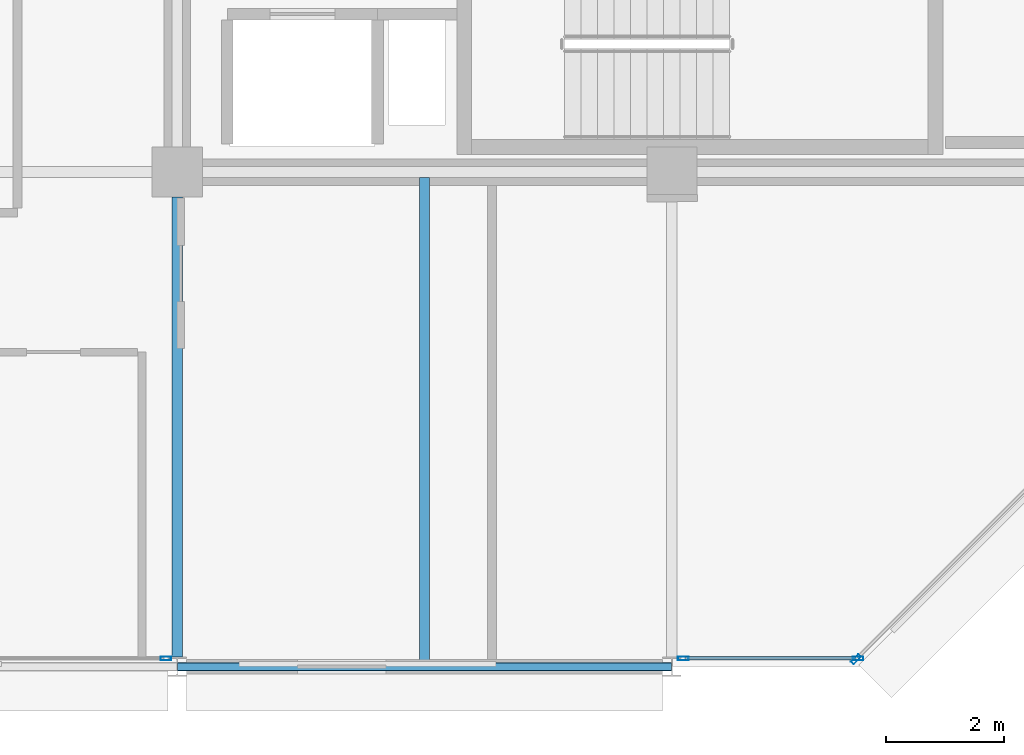
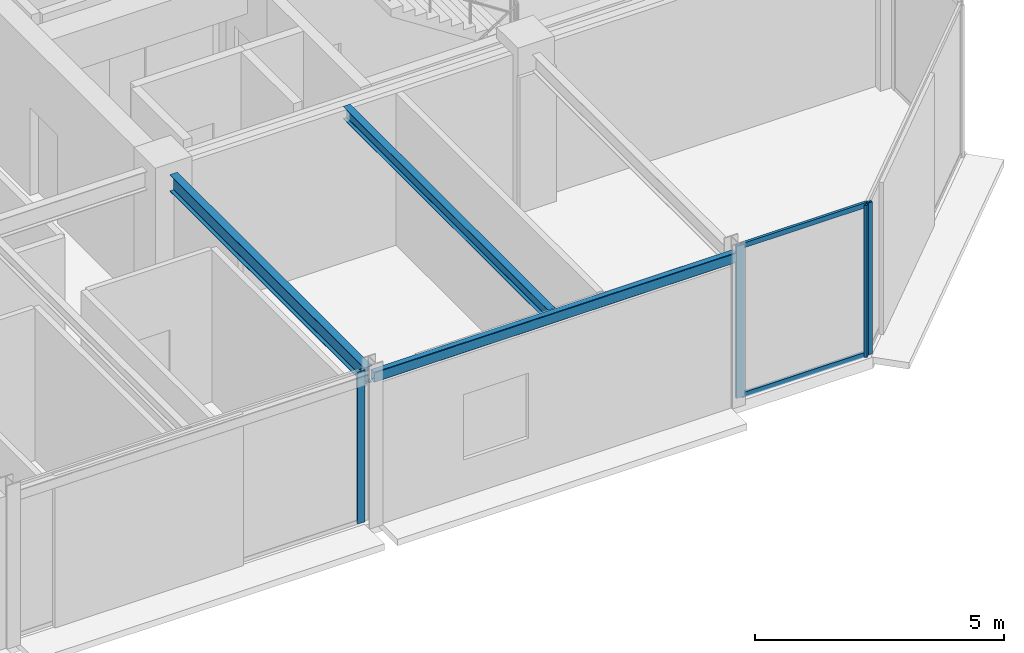
# One storey, part 7 of 25: 6 members, 3 beams, 3 elements without a shape of their own.
"""IFC4 building model written with IfcOpenShell, lengths in metres."""

from ifc_helpers import new_model, si_unit, direction, frame, origin, origin_2d, place, context, subcontext, project, spatial, hollow_rectangle, i_section, extrude, material, layer, layer_set, material_profile, profile_set, type_object, element, aggregate, save


model = new_model("IFC4")

# Units and contexts
model_context = context("Model", 3, precision=1e-05, world=origin(), true_north=direction((0.0, 1.0)))
body_context = subcontext(model_context, "Body", "Model", "MODEL_VIEW")
ifc_project = project(units=[si_unit("LENGTHUNIT", "METRE"), si_unit("AREAUNIT", "SQUARE_METRE"), si_unit("VOLUMEUNIT", "CUBIC_METRE"), si_unit("PLANEANGLEUNIT", "RADIAN"), si_unit("MASSUNIT", "GRAM", prefix="KILO")], contexts=[model_context])

# Site, building, storey
site_placement = place(None, origin())
site = spatial("IfcSite", under=ifc_project, at=site_placement, CompositionType="ELEMENT")
building_placement = place(site_placement, origin())
building = spatial("IfcBuilding", under=site, at=building_placement, Name="Nerrivon Quay Data Exchange", CompositionType="ELEMENT")
storey_placement = place(building_placement, frame((0.0, 0.0, 290.199951171875)))
storey = spatial("IfcBuildingStorey", under=building, at=storey_placement, Name="L69", CompositionType="ELEMENT", Elevation=290.199951171875)

# Beams
ifc_material_1 = material(Name="Steel Grade 350", Category="steel")
ifc_material_profile_1 = material_profile(ifc_material_1, i_section(OverallWidth=0.177978515625, OverallDepth=0.406005859375, WebThickness=0.0078125, FlangeThickness=0.0126953125, FilletRadius=0.011474609375, at=origin_2d()), Name="410UB59.7")
ifc_profile_set_1 = profile_set([ifc_material_profile_1], Name="Steel Grade 350")
beam_type_1 = type_object("IfcBeamType", Name="BM-J1-410UB60", PredefinedType="JOIST", material=ifc_profile_set_1)
beam_1_placement = place(storey_placement, frame((16.800048828125, 0.16357421875, 3.52197265625), z_axis=(0.0, 1.0, 0.0), x_axis=(-1.0, 0.0, 0.0)))
element("IfcBeam", 1, at=beam_1_placement, inside=storey, type_object=beam_type_1, Name="L69 NS Girder X=16.8 (0.0..8.4)", PredefinedType="JOIST", context=body_context, shape_type="SweptSolid", body=[
    extrude(i_section(OverallWidth=0.177978515625, OverallDepth=0.406005859375, WebThickness=0.0078125, FlangeThickness=0.0126953125, FilletRadius=0.011474609375, at=origin_2d()), origin(), (0.0, 0.0, 1.0), 7.8115234375),
])
ifc_material_profile_2 = material_profile(ifc_material_1, i_section(OverallWidth=0.1650390625, OverallDepth=0.303955078125, WebThickness=0.006103515625, FlangeThickness=0.01025390625, FilletRadius=0.011474609375, at=origin_2d()), Name="310UB40.4")
ifc_profile_set_2 = profile_set([ifc_material_profile_2], Name="Steel Grade 350")
beam_type_2 = type_object("IfcBeamType", Name="BM-J6-310UB40", PredefinedType="JOIST", material=ifc_profile_set_2)
beam_2_placement = place(storey_placement, frame((21.0, 0.074951171875, 3.572998046875), z_axis=(0.0, 1.0, 0.0), x_axis=(-1.0, 0.0, 0.0)))
element("IfcBeam", 2, at=beam_2_placement, inside=storey, type_object=beam_type_2, Name="L69 Secondary Joist X=21.0 (0.0..8.4)", PredefinedType="JOIST", context=body_context, shape_type="SweptSolid", body=[
    extrude(i_section(OverallWidth=0.1650390625, OverallDepth=0.303955078125, WebThickness=0.006103515625, FlangeThickness=0.01025390625, FilletRadius=0.011474609375, at=origin_2d()), origin(), (0.0, 0.0, 1.0), 8.22998046875),
])
ifc_material_2 = material(Name="Steel Grade C350L0 (350 MPa)", Category="steel")
ifc_material_profile_3 = material_profile(ifc_material_2, hollow_rectangle(XDim=0.14990234375, YDim=0.25, WallThickness=0.009033203125, InnerFilletRadius=0.013427734375, OuterFilletRadius=0.0224609375, at=origin_2d()), Name="250x150x9.0RHS")
ifc_profile_set_3 = profile_set([ifc_material_profile_3], Name="Steel Grade C350L0 (350 MPa)")
beam_type_3 = type_object("IfcBeamType", Name="BM-SP4-250x150RHS", PredefinedType="SPANDREL", material=ifc_profile_set_3)
beam_3_placement = place(storey_placement, frame((16.807861328125, 0.0, 3.60009765625), z_axis=(1.0, 0.0, 0.0), x_axis=(0.0, 1.0, 0.0)))
element("IfcBeam", 3, at=beam_3_placement, inside=storey, type_object=beam_type_3, Name="L69 EW Girder Y=0.0 (16.8..25.2)", PredefinedType="SPANDREL", context=body_context, shape_type="SweptSolid", body=[
    extrude(hollow_rectangle(XDim=0.14990234375, YDim=0.25, WallThickness=0.009033203125, InnerFilletRadius=0.013427734375, OuterFilletRadius=0.0224609375, at=origin_2d()), origin(), (0.0, 0.0, 1.0), 8.38427734375),
])

# Curtain wall, member
ifc_material_3 = material(Name="Anodised aluminium 6063-T6", Category="aluminium")
ifc_layer = layer(ifc_material_3, 0.195068359375)
ifc_layer_set = layer_set([ifc_layer], Name="Anodised aluminium 6063-T6")
curtain_wall_type = type_object("IfcCurtainWallType", Name="CW-SYS-06", PredefinedType="NOTDEFINED", material=ifc_layer_set)
curtain_wall_1_placement = place(storey_placement, origin())
curtain_wall_1 = element("IfcCurtainWall", 4, at=curtain_wall_1_placement, inside=storey, type_object=curtain_wall_type, Name="L69 Unitised Curtain Wall 1", PredefinedType="NOTDEFINED")
ifc_material_profile_4 = material_profile(ifc_material_3, hollow_rectangle(XDim=0.06494140625, YDim=0.179931640625, WallThickness=0.00341796875, at=origin_2d()), Name="ALU-MULL-180x65")
ifc_profile_set_4 = profile_set([ifc_material_profile_4], Name="Anodised aluminium 6063-T6")
member_type_1 = type_object("IfcMemberType", Name="CWM-180x65", PredefinedType="MULLION", material=ifc_profile_set_4)
member_1_placement = place(storey_placement, frame((28.32763671875, 0.12548828125, 0.0), z_axis=(0.0, 0.0, 1.0), x_axis=(0.707106781187, -0.707106781187, 0.0)))
member_1 = element("IfcMember", 5, at=member_1_placement, type_object=member_type_1, Name="CW06 mullion 2", PredefinedType="MULLION", context=body_context, shape_type="SweptSolid", body=[
    extrude(hollow_rectangle(XDim=0.06494140625, YDim=0.179931640625, WallThickness=0.00341796875, at=origin_2d()), origin(), (0.0, 0.0, 1.0), 3.72509765625),
])
aggregate(curtain_wall_1, [member_1])

# Curtain wall, members
curtain_wall_2_placement = place(storey_placement, origin())
curtain_wall_2 = element("IfcCurtainWall", 6, at=curtain_wall_2_placement, inside=storey, type_object=curtain_wall_type, Name="L69 Unitised Curtain Wall 2", PredefinedType="NOTDEFINED")
member_2_placement = place(storey_placement, frame((28.362548828125, 0.139892578125, 0.0), z_axis=(0.0, 0.0, 1.0), x_axis=(0.0, -1.0, 0.0)))
member_2 = element("IfcMember", 7, at=member_2_placement, type_object=member_type_1, Name="CW06 mullion 1", PredefinedType="MULLION", context=body_context, shape_type="SweptSolid", body=[
    extrude(hollow_rectangle(XDim=0.06494140625, YDim=0.179931640625, WallThickness=0.00341796875, at=origin_2d()), origin(), (0.0, 0.0, 1.0), 3.72509765625),
])
member_3_placement = place(storey_placement, frame((25.39306640625, 0.139892578125, 0.0), z_axis=(0.0, 0.0, 1.0), x_axis=(0.0, -1.0, 0.0)))
member_3 = element("IfcMember", 8, at=member_3_placement, type_object=member_type_1, Name="CW06 mullion 2", PredefinedType="MULLION", context=body_context, shape_type="SweptSolid", body=[
    extrude(hollow_rectangle(XDim=0.06494140625, YDim=0.179931640625, WallThickness=0.00341796875, at=origin_2d()), origin(), (0.0, 0.0, 1.0), 3.72509765625),
])

# Curtain wall, member
curtain_wall_3_placement = place(storey_placement, origin())
curtain_wall_3 = element("IfcCurtainWall", 9, at=curtain_wall_3_placement, inside=storey, type_object=curtain_wall_type, Name="L69 Unitised Curtain Wall 4", PredefinedType="NOTDEFINED")
member_4_placement = place(storey_placement, frame((16.60693359375, 0.139892578125, 0.0), z_axis=(0.0, 0.0, 1.0), x_axis=(0.0, -1.0, 0.0)))
member_4 = element("IfcMember", 10, at=member_4_placement, type_object=member_type_1, Name="CW06 mullion 1", PredefinedType="MULLION", context=body_context, shape_type="SweptSolid", body=[
    extrude(hollow_rectangle(XDim=0.06494140625, YDim=0.179931640625, WallThickness=0.00341796875, at=origin_2d()), origin(), (0.0, 0.0, 1.0), 3.72509765625),
])
aggregate(curtain_wall_3, [member_4])

# Member
ifc_material_profile_5 = material_profile(ifc_material_3, hollow_rectangle(XDim=0.06005859375, YDim=0.1201171875, WallThickness=0.003173828125, at=origin_2d()), Name="ALU-TRAN-120x60")
ifc_profile_set_5 = profile_set([ifc_material_profile_5], Name="Anodised aluminium 6063-T6")
member_type_2 = type_object("IfcMemberType", Name="CWT-120x60", PredefinedType="USERDEFINED", material=ifc_profile_set_5)
member_5_placement = place(storey_placement, frame((28.324951171875, 0.139892578125, 0.032470703125), z_axis=(-1.0, 0.0, 0.0), x_axis=(0.0, -1.0, 0.0)))
member_5 = element("IfcMember", 11, at=member_5_placement, type_object=member_type_2, Name="CW06 transom 1.1", ObjectType="TRANSOM", PredefinedType="USERDEFINED", context=body_context, shape_type="SweptSolid", body=[
    extrude(hollow_rectangle(XDim=0.06005859375, YDim=0.1201171875, WallThickness=0.003173828125, at=origin_2d()), origin(), (0.0, 0.0, 1.0), 2.89453125),
])

member_6_placement = place(storey_placement, frame((28.324951171875, 0.139892578125, 3.692626953125), z_axis=(-1.0, 0.0, 0.0), x_axis=(0.0, -1.0, 0.0)))
member_6 = element("IfcMember", 12, at=member_6_placement, type_object=member_type_2, Name="CW06 transom 1.2", ObjectType="TRANSOM", PredefinedType="USERDEFINED", context=body_context, shape_type="SweptSolid", body=[
    extrude(hollow_rectangle(XDim=0.06005859375, YDim=0.1201171875, WallThickness=0.003173828125, at=origin_2d()), origin(), (0.0, 0.0, 1.0), 2.89453125),
])

aggregate(curtain_wall_2, [member_2, member_3, member_5, member_6])

save(model, "model.ifc")
